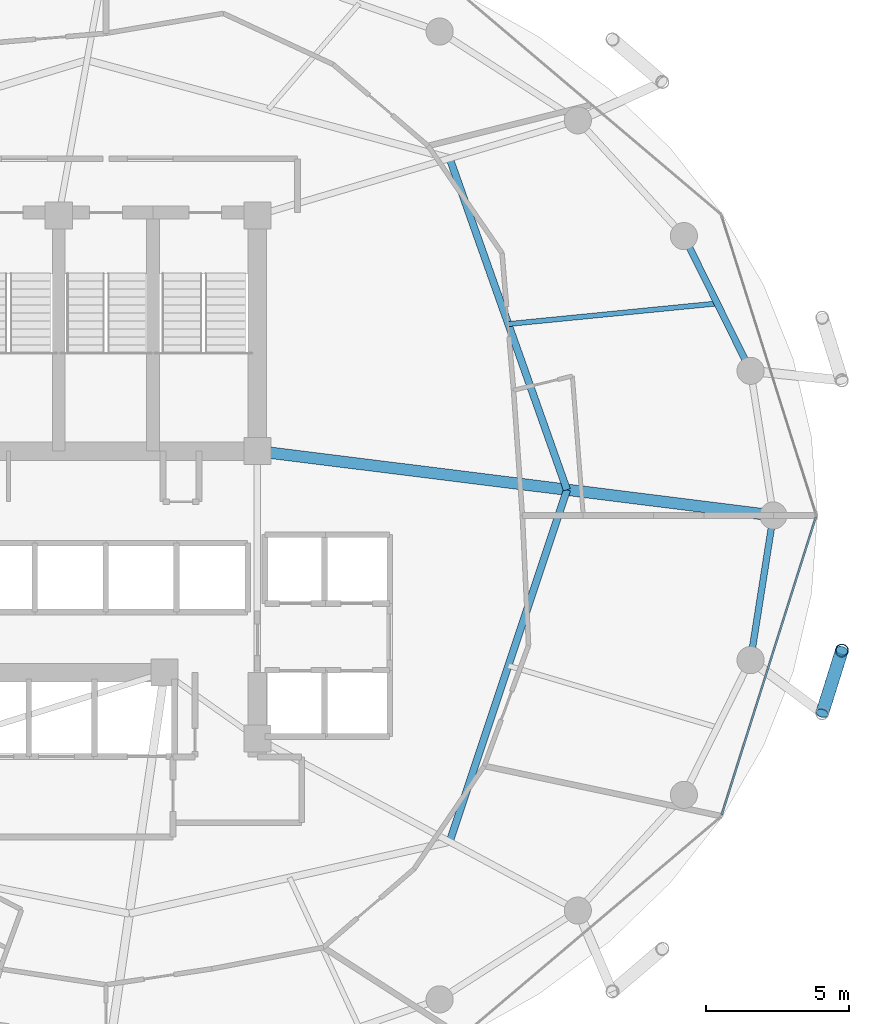
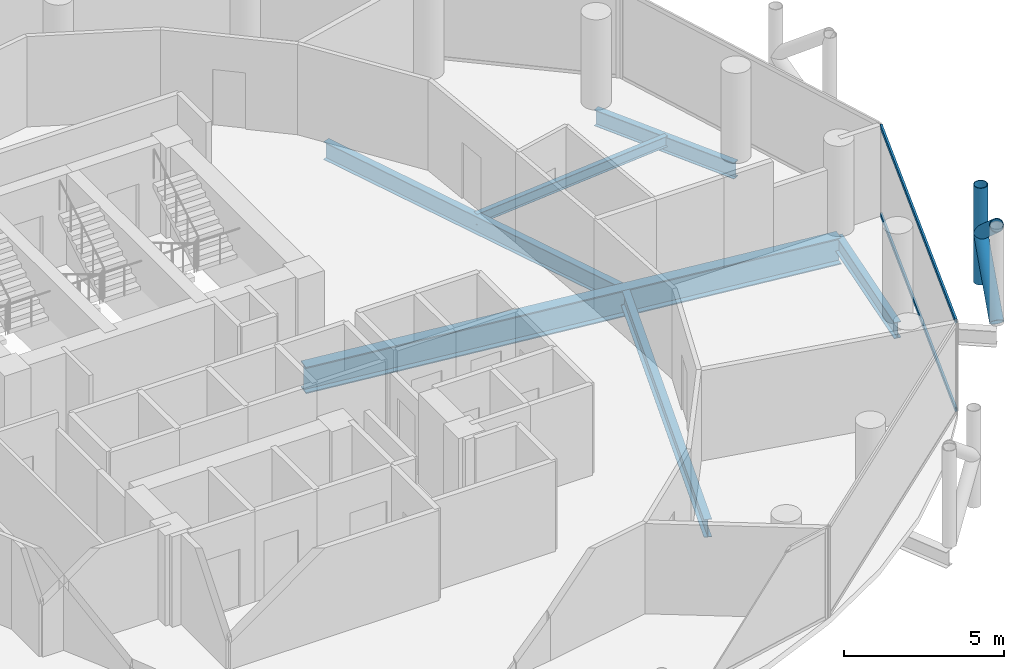
# One storey, part 11 of 26: 6 beams, 5 members, 1 element without a shape of its own.
"""IFC4 building model written with IfcOpenShell, lengths in metres."""

from ifc_helpers import new_model, si_unit, direction, frame, origin, origin_2d, place, context, subcontext, project, spatial, hollow_rectangle, hollow_circle, i_section, extrude, material, layer, layer_set, material_profile, profile_set, type_object, element, aggregate, save


model = new_model("IFC4")

# Units and contexts
model_context = context("Model", 3, precision=1e-05, world=origin(), true_north=direction((0.0, 1.0)))
body_context = subcontext(model_context, "Body", "Model", "MODEL_VIEW")
ifc_project = project(units=[si_unit("LENGTHUNIT", "METRE"), si_unit("AREAUNIT", "SQUARE_METRE"), si_unit("VOLUMEUNIT", "CUBIC_METRE"), si_unit("PLANEANGLEUNIT", "RADIAN"), si_unit("MASSUNIT", "GRAM", prefix="KILO")], contexts=[model_context])

# Site, building, storey
site_placement = place(None, origin())
site = spatial("IfcSite", under=ifc_project, at=site_placement, CompositionType="ELEMENT")
building_placement = place(site_placement, origin())
building = spatial("IfcBuilding", under=site, at=building_placement, Name="Nuhasar Tower", CompositionType="ELEMENT")
storey_placement = place(building_placement, frame((0.0, 0.0, 177.449951171875)))
storey = spatial("IfcBuildingStorey", under=building, at=storey_placement, Name="L43", CompositionType="ELEMENT", Elevation=177.449951171875)

# Beams
ifc_material_1 = material(Name="Steel S355", Category="steel")
ifc_material_profile_1 = material_profile(ifc_material_1, i_section(OverallWidth=0.25390625, OverallDepth=0.68408203125, WebThickness=0.012451171875, FlangeThickness=0.018798828125, at=origin_2d()), Name="W27X94")
ifc_profile_set_1 = profile_set([ifc_material_profile_1], Name="Steel S355")
beam_type_1 = type_object("IfcBeamType", Name="BM-INRING-W27X94", PredefinedType="BEAM", material=ifc_profile_set_1)
beam_1_placement = place(storey_placement, frame((51.027099609375, 15.385986328125, -0.592041015625), z_axis=(0.31609797573, 0.948726551615, 0.0), x_axis=(-0.948726551615, 0.31609797573, 0.0)))
element("IfcBeam", 1, at=beam_1_placement, inside=storey, type_object=beam_type_1, Name="L43 Inner Header Beam 03", PredefinedType="BEAM", context=body_context, shape_type="SweptSolid", body=[
    extrude(i_section(OverallWidth=0.25390625, OverallDepth=0.68408203125, WebThickness=0.012451171875, FlangeThickness=0.018798828125, at=origin_2d()), origin(), (0.0, 0.0, 1.0), 12.9794921875),
])
beam_2_placement = place(storey_placement, frame((55.1298828125, 27.699951171875, -0.592041015625), z_axis=(-0.333599821096, 0.942714781556, 0.0), x_axis=(-0.942714781556, -0.333599821096, 0.0)))
element("IfcBeam", 2, at=beam_2_placement, inside=storey, type_object=beam_type_1, Name="L43 Inner Header Beam 04", PredefinedType="BEAM", context=body_context, shape_type="SweptSolid", body=[
    extrude(i_section(OverallWidth=0.25390625, OverallDepth=0.68408203125, WebThickness=0.012451171875, FlangeThickness=0.018798828125, at=origin_2d()), origin(), (0.0, 0.0, 1.0), 12.298583984375),
])
ifc_material_profile_2 = material_profile(ifc_material_1, i_section(OverallWidth=0.177978515625, OverallDepth=0.406005859375, WebThickness=0.0078125, FlangeThickness=0.0126953125, at=origin_2d()), Name="W16X40")
ifc_profile_set_2 = profile_set([ifc_material_profile_2], Name="Steel S355")
beam_type_2 = type_object("IfcBeamType", Name="BM-JST-W16X40", PredefinedType="JOIST", material=ifc_profile_set_2)
beam_3_placement = place(storey_placement, frame((53.0791015625, 33.4970703125, -0.452880859375), z_axis=(0.995170244515, 0.098164068947, 0.0), x_axis=(-0.098164068947, 0.995170244515, 0.0)))
element("IfcBeam", 3, at=beam_3_placement, inside=storey, type_object=beam_type_2, Name="L43 Secondary Floor Joist 04", PredefinedType="JOIST", context=body_context, shape_type="SweptSolid", body=[
    extrude(i_section(OverallWidth=0.177978515625, OverallDepth=0.406005859375, WebThickness=0.0078125, FlangeThickness=0.0126953125, at=origin_2d()), origin(), (0.0, 0.0, 1.0), 7.34423828125),
])
ifc_material_profile_3 = material_profile(ifc_material_1, i_section(OverallWidth=0.22998046875, OverallDepth=0.616943359375, WebThickness=0.01318359375, FlangeThickness=0.022216796875, at=origin_2d()), Name="W24X94")
ifc_profile_set_3 = profile_set([ifc_material_profile_3], Name="Steel S355")
beam_type_3 = type_object("IfcBeamType", Name="BM-RING-W24X94", PredefinedType="SPANDREL", material=ifc_profile_set_3)
beam_4_placement = place(storey_placement, frame((61.553955078125, 31.860107421875, -0.558837890625), z_axis=(-0.443347771709, 0.896349682501, 0.0), x_axis=(-0.896349682501, -0.443347771709, 0.0)))
element("IfcBeam", 4, at=beam_4_placement, inside=storey, type_object=beam_type_3, Name="L43 Perimeter Ring Spandrel 02", PredefinedType="SPANDREL", context=body_context, shape_type="SweptSolid", body=[
    extrude(i_section(OverallWidth=0.22998046875, OverallDepth=0.616943359375, WebThickness=0.01318359375, FlangeThickness=0.022216796875, at=origin_2d()), origin(), (0.0, 0.0, 1.0), 5.260009765625),
])
beam_5_placement = place(storey_placement, frame((61.553955078125, 21.739990234375, -0.558837890625), z_axis=(0.155426543608, 0.987847452566, 0.0), x_axis=(-0.987847452566, 0.155426543608, 0.0)))
element("IfcBeam", 5, at=beam_5_placement, inside=storey, type_object=beam_type_3, Name="L43 Perimeter Ring Spandrel 24", PredefinedType="SPANDREL", context=body_context, shape_type="SweptSolid", body=[
    extrude(i_section(OverallWidth=0.22998046875, OverallDepth=0.616943359375, WebThickness=0.01318359375, FlangeThickness=0.022216796875, at=origin_2d()), origin(), (0.0, 0.0, 1.0), 5.122314453125),
])
ifc_material_2 = material(Name="Steel S460", Category="steel")
ifc_material_profile_4 = material_profile(ifc_material_2, i_section(OverallWidth=0.40087890625, OverallDepth=1.010009765625, WebThickness=0.023681640625, FlangeThickness=0.0419921875, at=origin_2d()), Name="W40X297")
ifc_profile_set_4 = profile_set([ifc_material_profile_4], Name="Steel S460")
beam_type_4 = type_object("IfcBeamType", Name="BM-XFER-W40X297", PredefinedType="USERDEFINED", material=ifc_profile_set_4)
beam_6_placement = place(storey_placement, frame((44.300048828125, 29.050048828125, -0.7548828125), z_axis=(0.992320149485, -0.123696082908, 0.0), x_axis=(0.123696082908, 0.992320149485, 0.0)))
element("IfcBeam", 6, at=beam_6_placement, inside=storey, type_object=beam_type_4, Name="L43 Radial Floor Girder 04", ObjectType="GIRDER", PredefinedType="USERDEFINED", context=body_context, shape_type="SweptSolid", body=[
    extrude(i_section(OverallWidth=0.40087890625, OverallDepth=1.010009765625, WebThickness=0.023681640625, FlangeThickness=0.0419921875, at=origin_2d()), origin(), (0.0, 0.0, 1.0), 18.189697265625),
])

# Curtain wall, members
ifc_material_3 = material(Name="Aluminium 6063-T6", Category="aluminium")
ifc_layer = layer(ifc_material_3, 0.199951171875)
ifc_layer_set = layer_set([ifc_layer], Name="Aluminium 6063-T6")
curtain_wall_type = type_object("IfcCurtainWallType", Name="CW-Z2-HTL", PredefinedType="NOTDEFINED", material=ifc_layer_set)
curtain_wall_placement = place(storey_placement, origin())
curtain_wall = element("IfcCurtainWall", 7, at=curtain_wall_placement, inside=storey, type_object=curtain_wall_type, Name="L43 Unitised Curtain Wall 12", PredefinedType="NOTDEFINED")
ifc_material_profile_5 = material_profile(ifc_material_3, hollow_rectangle(XDim=0.070068359375, YDim=0.159912109375, WallThickness=0.00439453125, at=origin_2d()), Name="CWT-3")
ifc_profile_set_5 = profile_set([ifc_material_profile_5], Name="Aluminium 6063-T6")
member_type_1 = type_object("IfcMemberType", Name="CW-TRN-S3", PredefinedType="USERDEFINED", material=ifc_profile_set_5)
member_1_placement = place(storey_placement, frame((60.550048828125, 16.336669921875, 0.03515625), z_axis=(0.301608163352, 0.953431967053, 0.0), x_axis=(-0.953431967053, 0.301608163352, 0.0)))
member_1 = element("IfcMember", 8, at=member_1_placement, type_object=member_type_1, Name="CW-Z2 transom 1.1", ObjectType="TRANSOM", PredefinedType="USERDEFINED", context=body_context, shape_type="SweptSolid", body=[
    extrude(hollow_rectangle(XDim=0.070068359375, YDim=0.159912109375, WallThickness=0.00439453125, at=origin_2d()), origin(), (0.0, 0.0, 1.0), 10.904296875),
])
member_2_placement = place(storey_placement, frame((60.550048828125, 16.336669921875, 3.4150390625), z_axis=(0.301608163352, 0.953431967053, 0.0), x_axis=(-0.953431967053, 0.301608163352, 0.0)))
member_2 = element("IfcMember", 9, at=member_2_placement, type_object=member_type_1, Name="CW-Z2 transom 1.2", ObjectType="TRANSOM", PredefinedType="USERDEFINED", context=body_context, shape_type="SweptSolid", body=[
    extrude(hollow_rectangle(XDim=0.070068359375, YDim=0.159912109375, WallThickness=0.00439453125, at=origin_2d()), origin(), (0.0, 0.0, 1.0), 10.904296875),
])
aggregate(curtain_wall, [member_1, member_2])

# Members
ifc_material_profile_6 = material_profile(ifc_material_2, hollow_circle(Radius=0.228515625, WallThickness=0.022216796875, at=origin_2d()), Name="HSS457X22.2")
ifc_profile_set_6 = profile_set([ifc_material_profile_6], Name="Steel S460")
member_type_2 = type_object("IfcMemberType", Name="EXO-BRONZE-457", PredefinedType="BRACE", material=ifc_profile_set_6)
member_3_placement = place(storey_placement, frame((64.748046875, 22.073974609375, 0.0), z_axis=(0.0, 0.0, 1.0), x_axis=(1.0, 0.0, 0.0)))
element("IfcMember", 10, at=member_3_placement, inside=storey, type_object=member_type_2, Name="L43 Exoskeleton Chord Column EC-12B", PredefinedType="BRACE", context=body_context, shape_type="SweptSolid", body=[
    extrude(hollow_circle(Radius=0.228515625, WallThickness=0.022216796875, at=origin_2d()), origin(), (0.0, 0.0, 1.0), 3.699951171875),
])
member_4_placement = place(storey_placement, frame((64.06005859375, 19.87890625, 0.0), z_axis=(0.233055548538, 0.743577869731, 0.626719285599), x_axis=(-0.954228474306, 0.29907861646, 0.0)))
element("IfcMember", 11, at=member_4_placement, inside=storey, type_object=member_type_2, Name="L43 Bronze Diagrid Brace W1-12", PredefinedType="BRACE", context=body_context, shape_type="SweptSolid", body=[
    extrude(hollow_circle(Radius=0.228515625, WallThickness=0.022216796875, at=origin_2d()), origin(), (0.0, 0.0, 1.0), 2.9521484375),
])
member_5_placement = place(storey_placement, frame((64.748046875, 22.073974609375, 1.85009765625), z_axis=(-0.233067628236, -0.74361641074, 0.626669062861), x_axis=(0.954228474306, -0.29907861646, 0.0)))
element("IfcMember", 12, at=member_5_placement, inside=storey, type_object=member_type_2, Name="L43 Bronze Diagrid Brace W2-12", PredefinedType="BRACE", context=body_context, shape_type="SweptSolid", body=[
    extrude(hollow_circle(Radius=0.228515625, WallThickness=0.022216796875, at=origin_2d()), origin(), (0.0, 0.0, 1.0), 2.951904296875),
])

save(model, "model.ifc")
